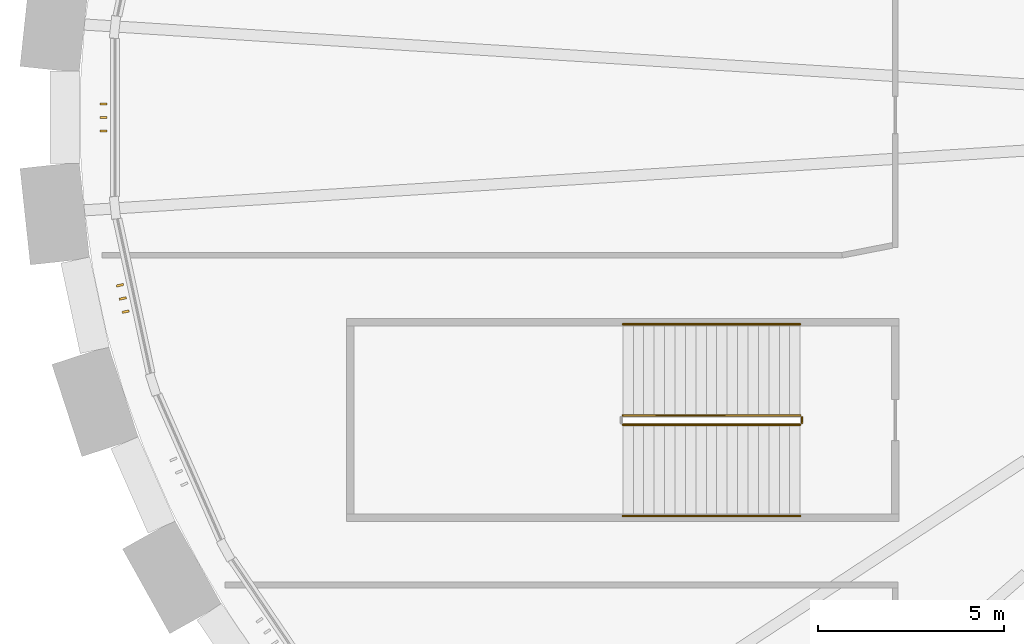
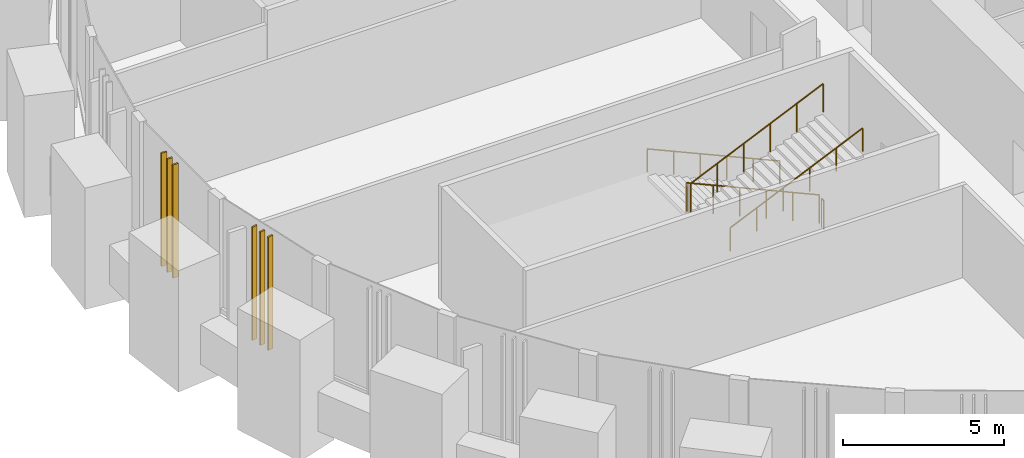
# One storey, part 12 of 21: 6 shading devices, 5 railings.
"""IFC4 building model written with IfcOpenShell, lengths in metres."""

from ifc_helpers import new_model, si_unit, direction, frame, origin, origin_2d, place, context, subcontext, project, spatial, rectangle, circle, extrude, source, transform, mapped, material, material_profile, profile_set, type_object, element, save


model = new_model("IFC4")

# Units and contexts
model_context = context("Model", 3, precision=1e-05, world=origin(), true_north=direction((0.0, 1.0)))
body_context = subcontext(model_context, "Body", "Model", "MODEL_VIEW")
ifc_project = project(units=[si_unit("LENGTHUNIT", "METRE"), si_unit("AREAUNIT", "SQUARE_METRE"), si_unit("VOLUMEUNIT", "CUBIC_METRE"), si_unit("PLANEANGLEUNIT", "RADIAN"), si_unit("MASSUNIT", "GRAM", prefix="KILO")], contexts=[model_context])

# Site, building, storey
site_placement = place(None, origin())
site = spatial("IfcSite", under=ifc_project, at=site_placement, CompositionType="ELEMENT")
building_placement = place(site_placement, origin())
building = spatial("IfcBuilding", under=site, at=building_placement, Name="Embergate Tower", CompositionType="ELEMENT")
storey_placement = place(building_placement, frame((0.0, 0.0, 33.5)))
storey = spatial("IfcBuildingStorey", under=building, at=storey_placement, Name="L04", CompositionType="ELEMENT", Elevation=33.5)

# Shading devices
ifc_material_1 = material(Name="Terracotta, extruded and glazed", Category="masonry")
ifc_material_profile = material_profile(ifc_material_1, rectangle(XDim=0.18994140625, YDim=0.06005859375, at=origin_2d()), Name="TC 190x60")
ifc_profile_set = profile_set([ifc_material_profile], Name="Terracotta, extruded and glazed")
shading_device_type = type_object("IfcShadingDeviceType", Name="Terracotta fin", PredefinedType="USERDEFINED", material=ifc_profile_set)
shared_shape_1 = source(origin(), body_context, "Body", "SweptSolid", [
    extrude(rectangle(XDim=0.18994140625, YDim=0.06005859375, at=origin_2d()), origin(), (0.0, 0.0, 1.0), 4.300048828125),
])
for number, where, z_axis, x_axis, name in (
    (1, (-38.7451171875, 0.36181640625, 0.0), (0.0, 0.0, 1.0), (1.0, 0.0, 0.0), "Fin 22.1"),
    (2, (-38.7451171875, 0.0, 0.0), (0.0, 0.0, 1.0), (1.0, 0.0, 0.0), "Fin 22.2"),
    (3, (-38.7451171875, -0.36181640625, 0.0), (0.0, 0.0, 1.0), (1.0, 0.0, 0.0), "Fin 22.3"),
    (4, (-38.30419921875, -4.504150390625, 0.0), (0.0, 0.0, 1.0), (0.977615363524, 0.210400097438, 0.0), "Fin 23.1"),
    (5, (-38.22802734375, -4.8583984375, 0.0), (0.0, 0.0, 1.0), (0.977615363524, 0.210400097438, 0.0), "Fin 23.2"),
    (6, (-38.15185546875, -5.212890625, 0.0), (0.0, 0.0, 1.0), (0.977615363524, 0.210400097438, 0.0), "Fin 23.3"),
):
    element("IfcShadingDevice", number, at=place(storey_placement, frame(where, z_axis=z_axis, x_axis=x_axis)), inside=storey, type_object=shading_device_type, Name=name, ObjectType="FIN", PredefinedType="USERDEFINED", context=body_context, shape_type="MappedRepresentation", body=[
        mapped(shared_shape_1, transform((0.0, 0.0, 0.0))),
    ])

# Railings
ifc_material_2 = material(Name="Steel", Category="steel")
railing_type_1 = type_object("IfcRailingType", Name="Podium stair guard 1100", PredefinedType="GUARDRAIL", material=ifc_material_2)
shared_shape_2 = source(origin(), body_context, "Body", "SweptSolid", [
    extrude(circle(Radius=0.02392578125, at=origin_2d()), frame((0.0, 0.0, 1.076171875), z_axis=(0.913138193756, 0.0, 0.40765014302), x_axis=(0.0, 1.0, 0.0)), (0.0, 0.0, 1.0), 5.212890625),
    extrude(circle(Radius=0.02099609375, at=origin_2d()), origin(), (0.0, 0.0, 1.0), 1.052001953125),
    extrude(circle(Radius=0.02099609375, at=origin_2d()), frame((0.951904296875, 0.0, 0.425048828125)), (0.0, 0.0, 1.0), 1.052001953125),
    extrude(circle(Radius=0.02099609375, at=origin_2d()), frame((1.904052734375, 0.0, 0.85009765625)), (0.0, 0.0, 1.0), 1.052001953125),
    extrude(circle(Radius=0.02099609375, at=origin_2d()), frame((2.85595703125, 0.0, 1.27490234375)), (0.0, 0.0, 1.0), 1.052001953125),
    extrude(circle(Radius=0.02099609375, at=origin_2d()), frame((3.80810546875, 0.0, 1.699951171875)), (0.0, 0.0, 1.0), 1.052001953125),
    extrude(circle(Radius=0.02099609375, at=origin_2d()), frame((4.760009765625, 0.0, 2.125)), (0.0, 0.0, 1.0), 1.052001953125),
])
railing_1_placement = place(storey_placement, frame((-24.81005859375, -8.25, 2.375)))
element("IfcRailing", 7, at=railing_1_placement, inside=storey, type_object=railing_type_1, Name="L04 P4 stair guard 3", PredefinedType="GUARDRAIL", context=body_context, shape_type="MappedRepresentation", body=[
    mapped(shared_shape_2, transform((0.0, 0.0, 0.0))),
])
shared_shape_3 = source(origin(), body_context, "Body", "SweptSolid", [
    extrude(circle(Radius=0.02392578125, at=origin_2d()), frame((0.0, 0.0, 1.076171875), z_axis=(-0.913138193756, 0.0, 0.40765014302), x_axis=(0.0, -1.0, 0.0)), (0.0, 0.0, 1.0), 5.212890625),
    extrude(circle(Radius=0.02099609375, at=origin_2d()), origin(), (0.0, 0.0, 1.0), 1.052001953125),
    extrude(circle(Radius=0.02099609375, at=origin_2d()), frame((-0.951904296875, 0.0, 0.425048828125)), (0.0, 0.0, 1.0), 1.052001953125),
    extrude(circle(Radius=0.02099609375, at=origin_2d()), frame((-1.904052734375, 0.0, 0.85009765625)), (0.0, 0.0, 1.0), 1.052001953125),
    extrude(circle(Radius=0.02099609375, at=origin_2d()), frame((-2.85595703125, 0.0, 1.27490234375)), (0.0, 0.0, 1.0), 1.052001953125),
    extrude(circle(Radius=0.02099609375, at=origin_2d()), frame((-3.80810546875, 0.0, 1.699951171875)), (0.0, 0.0, 1.0), 1.052001953125),
    extrude(circle(Radius=0.02099609375, at=origin_2d()), frame((-4.760009765625, 0.0, 2.125)), (0.0, 0.0, 1.0), 1.052001953125),
])
railing_2_placement = place(storey_placement, frame((-20.050048828125, -8.0, 0.125)))
element("IfcRailing", 8, at=railing_2_placement, inside=storey, type_object=railing_type_1, Name="L04 P4 stair guard 1", PredefinedType="GUARDRAIL", context=body_context, shape_type="MappedRepresentation", body=[
    mapped(shared_shape_3, transform((0.0, 0.0, 0.0))),
])
railing_type_2 = type_object("IfcRailingType", Name="Podium stair handrail 900", PredefinedType="HANDRAIL", material=ifc_material_2)
shared_shape_4 = source(origin(), body_context, "Body", "SweptSolid", [
    extrude(circle(Radius=0.02392578125, at=origin_2d()), frame((0.0, 0.0, 0.8759765625), z_axis=(0.913138193756, 0.0, 0.40765014302), x_axis=(0.0, 1.0, 0.0)), (0.0, 0.0, 1.0), 5.212890625),
    extrude(circle(Radius=0.02099609375, at=origin_2d()), origin(), (0.0, 0.0, 1.0), 0.851806640625),
    extrude(circle(Radius=0.02099609375, at=origin_2d()), frame((0.951904296875, 0.0, 0.425048828125)), (0.0, 0.0, 1.0), 0.851806640625),
    extrude(circle(Radius=0.02099609375, at=origin_2d()), frame((1.904052734375, 0.0, 0.85009765625)), (0.0, 0.0, 1.0), 0.851806640625),
    extrude(circle(Radius=0.02099609375, at=origin_2d()), frame((2.85595703125, 0.0, 1.27490234375)), (0.0, 0.0, 1.0), 0.851806640625),
    extrude(circle(Radius=0.02099609375, at=origin_2d()), frame((3.80810546875, 0.0, 1.699951171875)), (0.0, 0.0, 1.0), 0.851806640625),
    extrude(circle(Radius=0.02099609375, at=origin_2d()), frame((4.760009765625, 0.0, 2.125)), (0.0, 0.0, 1.0), 0.851806640625),
])
railing_3_placement = place(storey_placement, frame((-24.81005859375, -10.699951171875, 2.375)))
element("IfcRailing", 9, at=railing_3_placement, inside=storey, type_object=railing_type_2, Name="L04 P4 stair handrail 2", PredefinedType="HANDRAIL", context=body_context, shape_type="MappedRepresentation", body=[
    mapped(shared_shape_4, transform((0.0, 0.0, 0.0))),
])
shared_shape_5 = source(origin(), body_context, "Body", "SweptSolid", [
    extrude(circle(Radius=0.02392578125, at=origin_2d()), frame((0.0, 0.0, 0.8759765625), z_axis=(-0.913138193756, 0.0, 0.40765014302), x_axis=(0.0, -1.0, 0.0)), (0.0, 0.0, 1.0), 5.212890625),
    extrude(circle(Radius=0.02099609375, at=origin_2d()), origin(), (0.0, 0.0, 1.0), 0.851806640625),
    extrude(circle(Radius=0.02099609375, at=origin_2d()), frame((-0.951904296875, 0.0, 0.425048828125)), (0.0, 0.0, 1.0), 0.851806640625),
    extrude(circle(Radius=0.02099609375, at=origin_2d()), frame((-1.904052734375, 0.0, 0.85009765625)), (0.0, 0.0, 1.0), 0.851806640625),
    extrude(circle(Radius=0.02099609375, at=origin_2d()), frame((-2.85595703125, 0.0, 1.27490234375)), (0.0, 0.0, 1.0), 0.851806640625),
    extrude(circle(Radius=0.02099609375, at=origin_2d()), frame((-3.80810546875, 0.0, 1.699951171875)), (0.0, 0.0, 1.0), 0.851806640625),
    extrude(circle(Radius=0.02099609375, at=origin_2d()), frame((-4.760009765625, 0.0, 2.125)), (0.0, 0.0, 1.0), 0.851806640625),
])
railing_4_placement = place(storey_placement, frame((-20.050048828125, -5.550048828125, 0.125)))
element("IfcRailing", 10, at=railing_4_placement, inside=storey, type_object=railing_type_2, Name="L04 P4 stair handrail 1", PredefinedType="HANDRAIL", context=body_context, shape_type="MappedRepresentation", body=[
    mapped(shared_shape_5, transform((0.0, 0.0, 0.0))),
])
shared_shape_6 = source(origin(), body_context, "Body", "SweptSolid", [
    extrude(circle(Radius=0.02392578125, at=origin_2d()), frame((0.0, 0.0, 1.076171875), z_axis=(0.0, -1.0, 0.0), x_axis=(1.0, 0.0, 0.0)), (0.0, 0.0, 1.0), 0.14990234375),
    extrude(circle(Radius=0.02099609375, at=origin_2d()), origin(), (0.0, 0.0, 1.0), 1.052001953125),
    extrude(circle(Radius=0.02099609375, at=origin_2d()), frame((0.0, -0.14990234375, 0.0)), (0.0, 0.0, 1.0), 1.052001953125),
])
railing_5_placement = place(storey_placement, frame((-20.0, -8.050048828125, 0.0)))
element("IfcRailing", 11, at=railing_5_placement, inside=storey, type_object=railing_type_1, Name="L04 P4 stair guard 4", PredefinedType="GUARDRAIL", context=body_context, shape_type="MappedRepresentation", body=[
    mapped(shared_shape_6, transform((0.0, 0.0, 0.0))),
])

save(model, "model.ifc")
